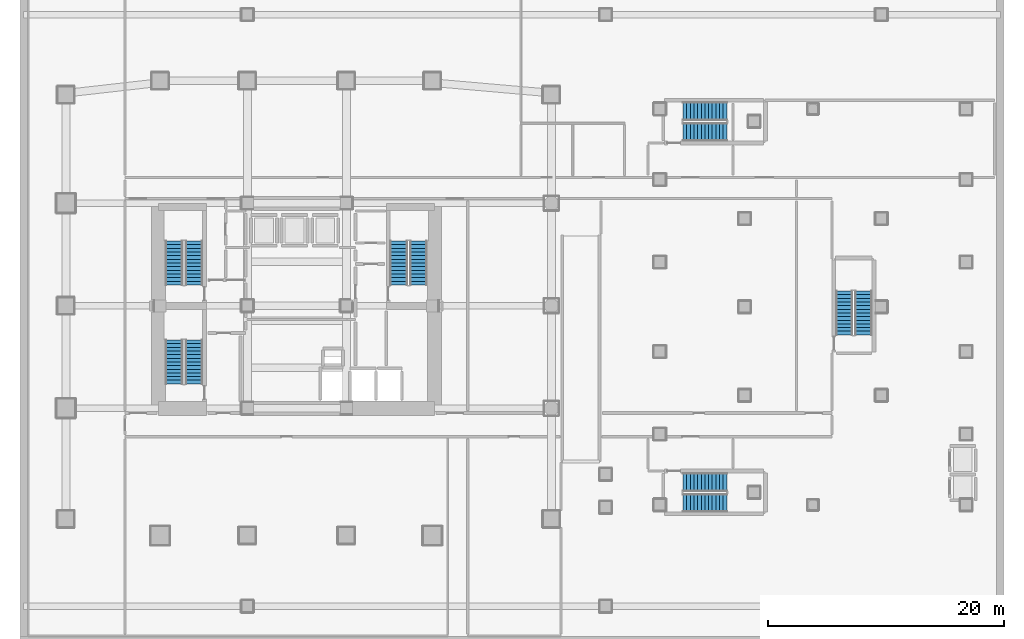
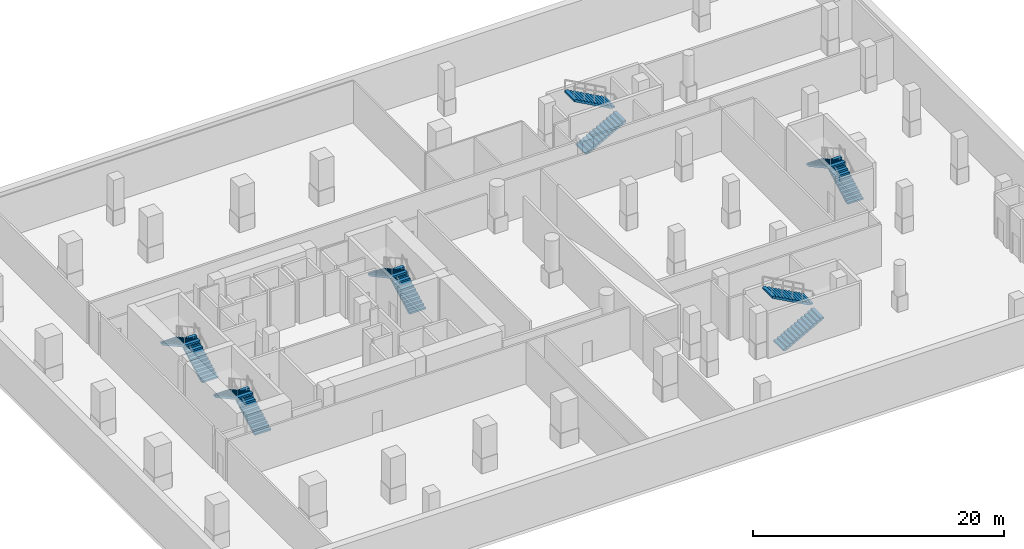
# One storey, part 10 of 15: 12 stair flights, 6 elements without a shape of their own.
"""IFC4 building model written with IfcOpenShell, lengths in metres."""

from ifc_helpers import new_model, si_unit, direction, frame, origin, place, context, subcontext, project, spatial, polyline, outline, extrude, material, type_object, element, aggregate, save


model = new_model("IFC4")

# Units and contexts
model_context = context("Model", 3, precision=1e-05, world=origin(), true_north=direction((0.0, 1.0)))
body_context = subcontext(model_context, "Body", "Model", "MODEL_VIEW")
ifc_project = project(units=[si_unit("LENGTHUNIT", "METRE"), si_unit("AREAUNIT", "SQUARE_METRE"), si_unit("VOLUMEUNIT", "CUBIC_METRE"), si_unit("PLANEANGLEUNIT", "RADIAN"), si_unit("MASSUNIT", "GRAM", prefix="KILO")], contexts=[model_context])

# Site, building, storey
site_placement = place(None, origin())
site = spatial("IfcSite", under=ifc_project, at=site_placement, CompositionType="ELEMENT")
building_placement = place(site_placement, origin())
building = spatial("IfcBuilding", under=site, at=building_placement, Name="Solanera Arch Residences", CompositionType="ELEMENT")
storey_placement = place(building_placement, frame((0.0, 0.0, -8.800048828125)))
storey = spatial("IfcBuildingStorey", under=building, at=storey_placement, Name="B02", CompositionType="ELEMENT", Elevation=-8.800048828125)

# Stair, stair flights
ifc_material_1 = material(Name="Concrete C40/50 (f'c = 45 MPa)", Category="concrete")
stair_type_1 = type_object("IfcStairType", Name="Arena Dogleg Exit Stair 1560", PredefinedType="HALF_TURN_STAIR", material=ifc_material_1)
stair_1_placement = place(storey_placement, origin())
stair_1 = element("IfcStair", 1, at=stair_1_placement, inside=storey, type_object=stair_type_1, Name="B02 Sports Hall South Exit Stair", PredefinedType="HALF_TURN_STAIR")
ifc_material_2 = material(Name="Concrete C40/50 (f'c = 45 MPa)", Category="concrete")
stair_flight_type_1 = type_object("IfcStairFlightType", Name="Arena Precast Stair Flight 1560", PredefinedType="STRAIGHT", material=ifc_material_2)
stair_flight_1_placement = place(storey_placement, frame((57.760009765625, 13.97998046875, 0.0), z_axis=(0.0, 0.0, 1.0), x_axis=(1.0, 0.0, 0.0)))
stair_flight_1 = element("IfcStairFlight", 2, at=stair_flight_1_placement, type_object=stair_flight_type_1, Name="ST-H1 flight 1", NumberOfRisers=13, NumberOfTreads=12, PredefinedType="STRAIGHT", RiserHeight=0.169230769, TreadLength=0.31, context=body_context, shape_type="SweptSolid", body=[
    extrude(outline(polyline([(0.0, 0.0), (0.0, 0.169189453125), (0.31005859375, 0.169189453125), (0.31005859375, 0.33837890625), (0.6201171875, 0.33837890625), (0.6201171875, 0.5078125), (0.929931640625, 0.5078125), (0.929931640625, 0.677001953125), (1.239990234375, 0.677001953125), (1.239990234375, 0.84619140625), (1.550048828125, 0.84619140625), (1.550048828125, 1.015380859375), (1.860107421875, 1.015380859375), (1.860107421875, 1.1845703125), (2.169921875, 1.1845703125), (2.169921875, 1.353759765625), (2.47998046875, 1.353759765625), (2.47998046875, 1.523193359375), (2.7900390625, 1.523193359375), (2.7900390625, 1.6923828125), (3.10009765625, 1.6923828125), (3.10009765625, 1.861572265625), (3.409912109375, 1.861572265625), (3.409912109375, 2.03076171875), (3.719970703125, 2.03076171875), (3.719970703125, 2.199951171875), (3.719970703125, 1.85986328125), (0.312744140625, 0.0), (0.0, 0.0)])), frame((0.0, 0.780029296875, 0.0), z_axis=(0.0, -1.0, 0.0), x_axis=(1.0, 0.0, 0.0)), (0.0, 0.0, 1.0), 1.56005859375),
])
stair_flight_2_placement = place(storey_placement, frame((61.47998046875, 15.739990234375, 2.199951171875), z_axis=(0.0, 0.0, 1.0), x_axis=(-1.0, 0.0, 0.0)))
stair_flight_2 = element("IfcStairFlight", 3, at=stair_flight_2_placement, type_object=stair_flight_type_1, Name="ST-H1 flight 2", NumberOfRisers=13, NumberOfTreads=12, PredefinedType="STRAIGHT", RiserHeight=0.169230769, TreadLength=0.31, context=body_context, shape_type="SweptSolid", body=[
    extrude(outline(polyline([(0.0, 0.0), (0.0, 0.169189453125), (0.31005859375, 0.169189453125), (0.31005859375, 0.33837890625), (0.6201171875, 0.33837890625), (0.6201171875, 0.5078125), (0.929931640625, 0.5078125), (0.929931640625, 0.677001953125), (1.239990234375, 0.677001953125), (1.239990234375, 0.84619140625), (1.550048828125, 0.84619140625), (1.550048828125, 1.015380859375), (1.860107421875, 1.015380859375), (1.860107421875, 1.1845703125), (2.169921875, 1.1845703125), (2.169921875, 1.353759765625), (2.47998046875, 1.353759765625), (2.47998046875, 1.523193359375), (2.7900390625, 1.523193359375), (2.7900390625, 1.6923828125), (3.10009765625, 1.6923828125), (3.10009765625, 1.861572265625), (3.409912109375, 1.861572265625), (3.409912109375, 2.03076171875), (3.719970703125, 2.03076171875), (3.719970703125, 2.199951171875), (3.719970703125, 1.85986328125), (0.312744140625, 0.0), (0.0, 0.0)])), frame((0.0, 0.780029296875, 0.0), z_axis=(0.0, -1.0, 0.0), x_axis=(1.0, 0.0, 0.0)), (0.0, 0.0, 1.0), 1.56005859375),
])
aggregate(stair_1, [stair_flight_1, stair_flight_2])

stair_2_placement = place(storey_placement, origin())
stair_2 = element("IfcStair", 4, at=stair_2_placement, inside=storey, type_object=stair_type_1, Name="B02 Sports Hall North Exit Stair", PredefinedType="HALF_TURN_STAIR")
stair_flight_3_placement = place(storey_placement, frame((57.760009765625, 45.4599609375, 0.0), z_axis=(0.0, 0.0, 1.0), x_axis=(1.0, 0.0, 0.0)))
stair_flight_3 = element("IfcStairFlight", 5, at=stair_flight_3_placement, type_object=stair_flight_type_1, Name="ST-H2 flight 1", NumberOfRisers=13, NumberOfTreads=12, PredefinedType="STRAIGHT", RiserHeight=0.169230769, TreadLength=0.31, context=body_context, shape_type="SweptSolid", body=[
    extrude(outline(polyline([(0.0, 0.0), (0.0, 0.169189453125), (0.31005859375, 0.169189453125), (0.31005859375, 0.33837890625), (0.6201171875, 0.33837890625), (0.6201171875, 0.5078125), (0.929931640625, 0.5078125), (0.929931640625, 0.677001953125), (1.239990234375, 0.677001953125), (1.239990234375, 0.84619140625), (1.550048828125, 0.84619140625), (1.550048828125, 1.015380859375), (1.860107421875, 1.015380859375), (1.860107421875, 1.1845703125), (2.169921875, 1.1845703125), (2.169921875, 1.353759765625), (2.47998046875, 1.353759765625), (2.47998046875, 1.523193359375), (2.7900390625, 1.523193359375), (2.7900390625, 1.6923828125), (3.10009765625, 1.6923828125), (3.10009765625, 1.861572265625), (3.409912109375, 1.861572265625), (3.409912109375, 2.03076171875), (3.719970703125, 2.03076171875), (3.719970703125, 2.199951171875), (3.719970703125, 1.85986328125), (0.312744140625, 0.0), (0.0, 0.0)])), frame((0.0, 0.780029296875, 0.0), z_axis=(0.0, -1.0, 0.0), x_axis=(1.0, 0.0, 0.0)), (0.0, 0.0, 1.0), 1.56005859375),
])
stair_flight_4_placement = place(storey_placement, frame((61.47998046875, 47.219970703125, 2.199951171875), z_axis=(0.0, 0.0, 1.0), x_axis=(-1.0, 0.0, 0.0)))
stair_flight_4 = element("IfcStairFlight", 6, at=stair_flight_4_placement, type_object=stair_flight_type_1, Name="ST-H2 flight 2", NumberOfRisers=13, NumberOfTreads=12, PredefinedType="STRAIGHT", RiserHeight=0.169230769, TreadLength=0.31, context=body_context, shape_type="SweptSolid", body=[
    extrude(outline(polyline([(0.0, 0.0), (0.0, 0.169189453125), (0.31005859375, 0.169189453125), (0.31005859375, 0.33837890625), (0.6201171875, 0.33837890625), (0.6201171875, 0.5078125), (0.929931640625, 0.5078125), (0.929931640625, 0.677001953125), (1.239990234375, 0.677001953125), (1.239990234375, 0.84619140625), (1.550048828125, 0.84619140625), (1.550048828125, 1.015380859375), (1.860107421875, 1.015380859375), (1.860107421875, 1.1845703125), (2.169921875, 1.1845703125), (2.169921875, 1.353759765625), (2.47998046875, 1.353759765625), (2.47998046875, 1.523193359375), (2.7900390625, 1.523193359375), (2.7900390625, 1.6923828125), (3.10009765625, 1.6923828125), (3.10009765625, 1.861572265625), (3.409912109375, 1.861572265625), (3.409912109375, 2.03076171875), (3.719970703125, 2.03076171875), (3.719970703125, 2.199951171875), (3.719970703125, 1.85986328125), (0.312744140625, 0.0), (0.0, 0.0)])), frame((0.0, 0.780029296875, 0.0), z_axis=(0.0, -1.0, 0.0), x_axis=(1.0, 0.0, 0.0)), (0.0, 0.0, 1.0), 1.56005859375),
])
aggregate(stair_2, [stair_flight_3, stair_flight_4])

ifc_material_3 = material(Name="Concrete C40/50 (f'c = 45 MPa)", Category="concrete")
stair_type_2 = type_object("IfcStairType", Name="Basement Exit Stair 1440", PredefinedType="HALF_TURN_STAIR", material=ifc_material_3)
stair_3_placement = place(storey_placement, origin())
stair_3 = element("IfcStair", 7, at=stair_3_placement, inside=storey, type_object=stair_type_2, Name="B02 Basement Car Park Exit Stair", PredefinedType="HALF_TURN_STAIR")
ifc_material_4 = material(Name="Concrete C40/50 (f'c = 45 MPa)", Category="concrete")
stair_flight_type_2 = type_object("IfcStairFlightType", Name="Basement Precast Stair Flight 1440", PredefinedType="STRAIGHT", material=ifc_material_4)
stair_flight_5_placement = place(storey_placement, frame((73.080078125, 28.239990234375, 0.0), z_axis=(0.0, 0.0, 1.0), x_axis=(0.0, 1.0, 0.0)))
stair_flight_5 = element("IfcStairFlight", 8, at=stair_flight_5_placement, type_object=stair_flight_type_2, Name="ST-B1 flight 1", NumberOfRisers=13, NumberOfTreads=12, PredefinedType="STRAIGHT", RiserHeight=0.169230769, TreadLength=0.31, context=body_context, shape_type="SweptSolid", body=[
    extrude(outline(polyline([(0.0, 0.0), (0.0, 0.169189453125), (0.31005859375, 0.169189453125), (0.31005859375, 0.33837890625), (0.6201171875, 0.33837890625), (0.6201171875, 0.5078125), (0.929931640625, 0.5078125), (0.929931640625, 0.677001953125), (1.239990234375, 0.677001953125), (1.239990234375, 0.84619140625), (1.550048828125, 0.84619140625), (1.550048828125, 1.015380859375), (1.860107421875, 1.015380859375), (1.860107421875, 1.1845703125), (2.169921875, 1.1845703125), (2.169921875, 1.353759765625), (2.47998046875, 1.353759765625), (2.47998046875, 1.523193359375), (2.7900390625, 1.523193359375), (2.7900390625, 1.6923828125), (3.10009765625, 1.6923828125), (3.10009765625, 1.861572265625), (3.409912109375, 1.861572265625), (3.409912109375, 2.03076171875), (3.719970703125, 2.03076171875), (3.719970703125, 2.199951171875), (3.719970703125, 1.85986328125), (0.312744140625, 0.0), (0.0, 0.0)])), frame((0.0, 0.719970703125, 0.0), z_axis=(0.0, -1.0, 0.0), x_axis=(1.0, 0.0, 0.0)), (0.0, 0.0, 1.0), 1.43994140625),
])
stair_flight_6_placement = place(storey_placement, frame((71.43994140625, 31.9599609375, 2.199951171875), z_axis=(0.0, 0.0, 1.0), x_axis=(0.0, -1.0, 0.0)))
stair_flight_6 = element("IfcStairFlight", 9, at=stair_flight_6_placement, type_object=stair_flight_type_2, Name="ST-B1 flight 2", NumberOfRisers=13, NumberOfTreads=12, PredefinedType="STRAIGHT", RiserHeight=0.169230769, TreadLength=0.31, context=body_context, shape_type="SweptSolid", body=[
    extrude(outline(polyline([(0.0, 0.0), (0.0, 0.169189453125), (0.31005859375, 0.169189453125), (0.31005859375, 0.33837890625), (0.6201171875, 0.33837890625), (0.6201171875, 0.5078125), (0.929931640625, 0.5078125), (0.929931640625, 0.677001953125), (1.239990234375, 0.677001953125), (1.239990234375, 0.84619140625), (1.550048828125, 0.84619140625), (1.550048828125, 1.015380859375), (1.860107421875, 1.015380859375), (1.860107421875, 1.1845703125), (2.169921875, 1.1845703125), (2.169921875, 1.353759765625), (2.47998046875, 1.353759765625), (2.47998046875, 1.523193359375), (2.7900390625, 1.523193359375), (2.7900390625, 1.6923828125), (3.10009765625, 1.6923828125), (3.10009765625, 1.861572265625), (3.409912109375, 1.861572265625), (3.409912109375, 2.03076171875), (3.719970703125, 2.03076171875), (3.719970703125, 2.199951171875), (3.719970703125, 1.85986328125), (0.312744140625, 0.0), (0.0, 0.0)])), frame((0.0, 0.719970703125, 0.0), z_axis=(0.0, -1.0, 0.0), x_axis=(1.0, 0.0, 0.0)), (0.0, 0.0, 1.0), 1.43994140625),
])
aggregate(stair_3, [stair_flight_5, stair_flight_6])

ifc_material_5 = material(Name="Concrete C40/50 (f'c = 45 MPa)", Category="concrete")
stair_type_3 = type_object("IfcStairType", Name="Tower Dogleg Exit Stair 1480", PredefinedType="HALF_TURN_STAIR", material=ifc_material_5)
stair_4_placement = place(storey_placement, origin())
stair_4 = element("IfcStair", 10, at=stair_4_placement, inside=storey, type_object=stair_type_3, Name="B02 Tower Core Exit Stair 1", PredefinedType="HALF_TURN_STAIR")
ifc_material_6 = material(Name="Concrete C40/50 (f'c = 45 MPa)", Category="concrete")
stair_flight_type_3 = type_object("IfcStairFlightType", Name="Tower Precast Stair Flight 1480", PredefinedType="STRAIGHT", material=ifc_material_6)
stair_flight_7_placement = place(storey_placement, frame((16.260009765625, 32.47998046875, 0.0), z_axis=(0.0, 0.0, 1.0), x_axis=(0.0, 1.0, 0.0)))
stair_flight_7 = element("IfcStairFlight", 11, at=stair_flight_7_placement, type_object=stair_flight_type_3, Name="ST-T1 flight 1", NumberOfRisers=13, NumberOfTreads=12, PredefinedType="STRAIGHT", RiserHeight=0.169230769, TreadLength=0.31, context=body_context, shape_type="SweptSolid", body=[
    extrude(outline(polyline([(0.0, 0.0), (0.0, 0.169189453125), (0.31005859375, 0.169189453125), (0.31005859375, 0.33837890625), (0.6201171875, 0.33837890625), (0.6201171875, 0.5078125), (0.929931640625, 0.5078125), (0.929931640625, 0.677001953125), (1.239990234375, 0.677001953125), (1.239990234375, 0.84619140625), (1.550048828125, 0.84619140625), (1.550048828125, 1.015380859375), (1.860107421875, 1.015380859375), (1.860107421875, 1.1845703125), (2.169921875, 1.1845703125), (2.169921875, 1.353759765625), (2.47998046875, 1.353759765625), (2.47998046875, 1.523193359375), (2.7900390625, 1.523193359375), (2.7900390625, 1.6923828125), (3.10009765625, 1.6923828125), (3.10009765625, 1.861572265625), (3.409912109375, 1.861572265625), (3.409912109375, 2.03076171875), (3.719970703125, 2.03076171875), (3.719970703125, 2.199951171875), (3.719970703125, 1.85986328125), (0.312744140625, 0.0), (0.0, 0.0)])), frame((0.0, 0.739990234375, 0.0), z_axis=(0.0, -1.0, 0.0), x_axis=(1.0, 0.0, 0.0)), (0.0, 0.0, 1.0), 1.47998046875),
])
stair_flight_8_placement = place(storey_placement, frame((14.580078125, 36.199951171875, 2.199951171875), z_axis=(0.0, 0.0, 1.0), x_axis=(0.0, -1.0, 0.0)))
stair_flight_8 = element("IfcStairFlight", 12, at=stair_flight_8_placement, type_object=stair_flight_type_3, Name="ST-T1 flight 2", NumberOfRisers=13, NumberOfTreads=12, PredefinedType="STRAIGHT", RiserHeight=0.169230769, TreadLength=0.31, context=body_context, shape_type="SweptSolid", body=[
    extrude(outline(polyline([(0.0, 0.0), (0.0, 0.169189453125), (0.31005859375, 0.169189453125), (0.31005859375, 0.33837890625), (0.6201171875, 0.33837890625), (0.6201171875, 0.5078125), (0.929931640625, 0.5078125), (0.929931640625, 0.677001953125), (1.239990234375, 0.677001953125), (1.239990234375, 0.84619140625), (1.550048828125, 0.84619140625), (1.550048828125, 1.015380859375), (1.860107421875, 1.015380859375), (1.860107421875, 1.1845703125), (2.169921875, 1.1845703125), (2.169921875, 1.353759765625), (2.47998046875, 1.353759765625), (2.47998046875, 1.523193359375), (2.7900390625, 1.523193359375), (2.7900390625, 1.6923828125), (3.10009765625, 1.6923828125), (3.10009765625, 1.861572265625), (3.409912109375, 1.861572265625), (3.409912109375, 2.03076171875), (3.719970703125, 2.03076171875), (3.719970703125, 2.199951171875), (3.719970703125, 1.85986328125), (0.312744140625, 0.0), (0.0, 0.0)])), frame((0.0, 0.739990234375, 0.0), z_axis=(0.0, -1.0, 0.0), x_axis=(1.0, 0.0, 0.0)), (0.0, 0.0, 1.0), 1.47998046875),
])
aggregate(stair_4, [stair_flight_7, stair_flight_8])

stair_5_placement = place(storey_placement, origin())
stair_5 = element("IfcStair", 13, at=stair_5_placement, inside=storey, type_object=stair_type_3, Name="B02 Tower Core Exit Stair 2", PredefinedType="HALF_TURN_STAIR")
stair_flight_9_placement = place(storey_placement, frame((35.320068359375, 32.47998046875, 0.0), z_axis=(0.0, 0.0, 1.0), x_axis=(0.0, 1.0, 0.0)))
stair_flight_9 = element("IfcStairFlight", 14, at=stair_flight_9_placement, type_object=stair_flight_type_3, Name="ST-T2 flight 1", NumberOfRisers=13, NumberOfTreads=12, PredefinedType="STRAIGHT", RiserHeight=0.169230769, TreadLength=0.31, context=body_context, shape_type="SweptSolid", body=[
    extrude(outline(polyline([(0.0, 0.0), (0.0, 0.169189453125), (0.31005859375, 0.169189453125), (0.31005859375, 0.33837890625), (0.6201171875, 0.33837890625), (0.6201171875, 0.5078125), (0.929931640625, 0.5078125), (0.929931640625, 0.677001953125), (1.239990234375, 0.677001953125), (1.239990234375, 0.84619140625), (1.550048828125, 0.84619140625), (1.550048828125, 1.015380859375), (1.860107421875, 1.015380859375), (1.860107421875, 1.1845703125), (2.169921875, 1.1845703125), (2.169921875, 1.353759765625), (2.47998046875, 1.353759765625), (2.47998046875, 1.523193359375), (2.7900390625, 1.523193359375), (2.7900390625, 1.6923828125), (3.10009765625, 1.6923828125), (3.10009765625, 1.861572265625), (3.409912109375, 1.861572265625), (3.409912109375, 2.03076171875), (3.719970703125, 2.03076171875), (3.719970703125, 2.199951171875), (3.719970703125, 1.85986328125), (0.312744140625, 0.0), (0.0, 0.0)])), frame((0.0, 0.739990234375, 0.0), z_axis=(0.0, -1.0, 0.0), x_axis=(1.0, 0.0, 0.0)), (0.0, 0.0, 1.0), 1.47998046875),
])
stair_flight_10_placement = place(storey_placement, frame((33.639892578125, 36.199951171875, 2.199951171875), z_axis=(0.0, 0.0, 1.0), x_axis=(0.0, -1.0, 0.0)))
stair_flight_10 = element("IfcStairFlight", 15, at=stair_flight_10_placement, type_object=stair_flight_type_3, Name="ST-T2 flight 2", NumberOfRisers=13, NumberOfTreads=12, PredefinedType="STRAIGHT", RiserHeight=0.169230769, TreadLength=0.31, context=body_context, shape_type="SweptSolid", body=[
    extrude(outline(polyline([(0.0, 0.0), (0.0, 0.169189453125), (0.31005859375, 0.169189453125), (0.31005859375, 0.33837890625), (0.6201171875, 0.33837890625), (0.6201171875, 0.5078125), (0.929931640625, 0.5078125), (0.929931640625, 0.677001953125), (1.239990234375, 0.677001953125), (1.239990234375, 0.84619140625), (1.550048828125, 0.84619140625), (1.550048828125, 1.015380859375), (1.860107421875, 1.015380859375), (1.860107421875, 1.1845703125), (2.169921875, 1.1845703125), (2.169921875, 1.353759765625), (2.47998046875, 1.353759765625), (2.47998046875, 1.523193359375), (2.7900390625, 1.523193359375), (2.7900390625, 1.6923828125), (3.10009765625, 1.6923828125), (3.10009765625, 1.861572265625), (3.409912109375, 1.861572265625), (3.409912109375, 2.03076171875), (3.719970703125, 2.03076171875), (3.719970703125, 2.199951171875), (3.719970703125, 1.85986328125), (0.312744140625, 0.0), (0.0, 0.0)])), frame((0.0, 0.739990234375, 0.0), z_axis=(0.0, -1.0, 0.0), x_axis=(1.0, 0.0, 0.0)), (0.0, 0.0, 1.0), 1.47998046875),
])
aggregate(stair_5, [stair_flight_9, stair_flight_10])

stair_6_placement = place(storey_placement, origin())
stair_6 = element("IfcStair", 16, at=stair_6_placement, inside=storey, type_object=stair_type_3, Name="B02 Tower Core Exit Stair 3", PredefinedType="HALF_TURN_STAIR")
stair_flight_11_placement = place(storey_placement, frame((16.260009765625, 24.080078125, 0.0), z_axis=(0.0, 0.0, 1.0), x_axis=(0.0, 1.0, 0.0)))
stair_flight_11 = element("IfcStairFlight", 17, at=stair_flight_11_placement, type_object=stair_flight_type_3, Name="ST-T3 flight 1", NumberOfRisers=13, NumberOfTreads=12, PredefinedType="STRAIGHT", RiserHeight=0.169230769, TreadLength=0.31, context=body_context, shape_type="SweptSolid", body=[
    extrude(outline(polyline([(0.0, 0.0), (0.0, 0.169189453125), (0.31005859375, 0.169189453125), (0.31005859375, 0.33837890625), (0.6201171875, 0.33837890625), (0.6201171875, 0.5078125), (0.929931640625, 0.5078125), (0.929931640625, 0.677001953125), (1.239990234375, 0.677001953125), (1.239990234375, 0.84619140625), (1.550048828125, 0.84619140625), (1.550048828125, 1.015380859375), (1.860107421875, 1.015380859375), (1.860107421875, 1.1845703125), (2.169921875, 1.1845703125), (2.169921875, 1.353759765625), (2.47998046875, 1.353759765625), (2.47998046875, 1.523193359375), (2.7900390625, 1.523193359375), (2.7900390625, 1.6923828125), (3.10009765625, 1.6923828125), (3.10009765625, 1.861572265625), (3.409912109375, 1.861572265625), (3.409912109375, 2.03076171875), (3.719970703125, 2.03076171875), (3.719970703125, 2.199951171875), (3.719970703125, 1.85986328125), (0.312744140625, 0.0), (0.0, 0.0)])), frame((0.0, 0.739990234375, 0.0), z_axis=(0.0, -1.0, 0.0), x_axis=(1.0, 0.0, 0.0)), (0.0, 0.0, 1.0), 1.47998046875),
])
stair_flight_12_placement = place(storey_placement, frame((14.580078125, 27.800048828125, 2.199951171875), z_axis=(0.0, 0.0, 1.0), x_axis=(0.0, -1.0, 0.0)))
stair_flight_12 = element("IfcStairFlight", 18, at=stair_flight_12_placement, type_object=stair_flight_type_3, Name="ST-T3 flight 2", NumberOfRisers=13, NumberOfTreads=12, PredefinedType="STRAIGHT", RiserHeight=0.169230769, TreadLength=0.31, context=body_context, shape_type="SweptSolid", body=[
    extrude(outline(polyline([(0.0, 0.0), (0.0, 0.169189453125), (0.31005859375, 0.169189453125), (0.31005859375, 0.33837890625), (0.6201171875, 0.33837890625), (0.6201171875, 0.5078125), (0.929931640625, 0.5078125), (0.929931640625, 0.677001953125), (1.239990234375, 0.677001953125), (1.239990234375, 0.84619140625), (1.550048828125, 0.84619140625), (1.550048828125, 1.015380859375), (1.860107421875, 1.015380859375), (1.860107421875, 1.1845703125), (2.169921875, 1.1845703125), (2.169921875, 1.353759765625), (2.47998046875, 1.353759765625), (2.47998046875, 1.523193359375), (2.7900390625, 1.523193359375), (2.7900390625, 1.6923828125), (3.10009765625, 1.6923828125), (3.10009765625, 1.861572265625), (3.409912109375, 1.861572265625), (3.409912109375, 2.03076171875), (3.719970703125, 2.03076171875), (3.719970703125, 2.199951171875), (3.719970703125, 1.85986328125), (0.312744140625, 0.0), (0.0, 0.0)])), frame((0.0, 0.739990234375, 0.0), z_axis=(0.0, -1.0, 0.0), x_axis=(1.0, 0.0, 0.0)), (0.0, 0.0, 1.0), 1.47998046875),
])
aggregate(stair_6, [stair_flight_11, stair_flight_12])

save(model, "model.ifc")
